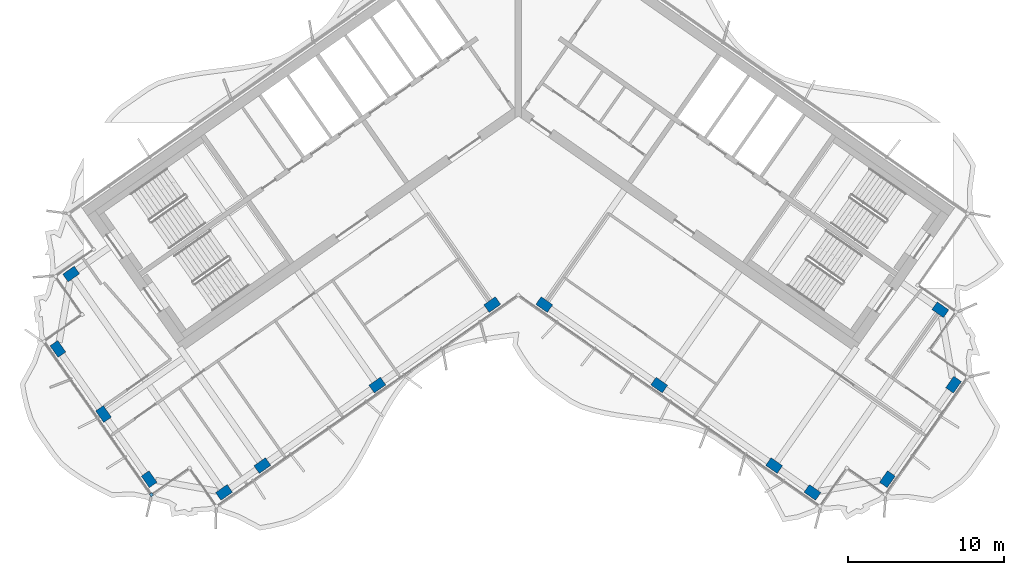
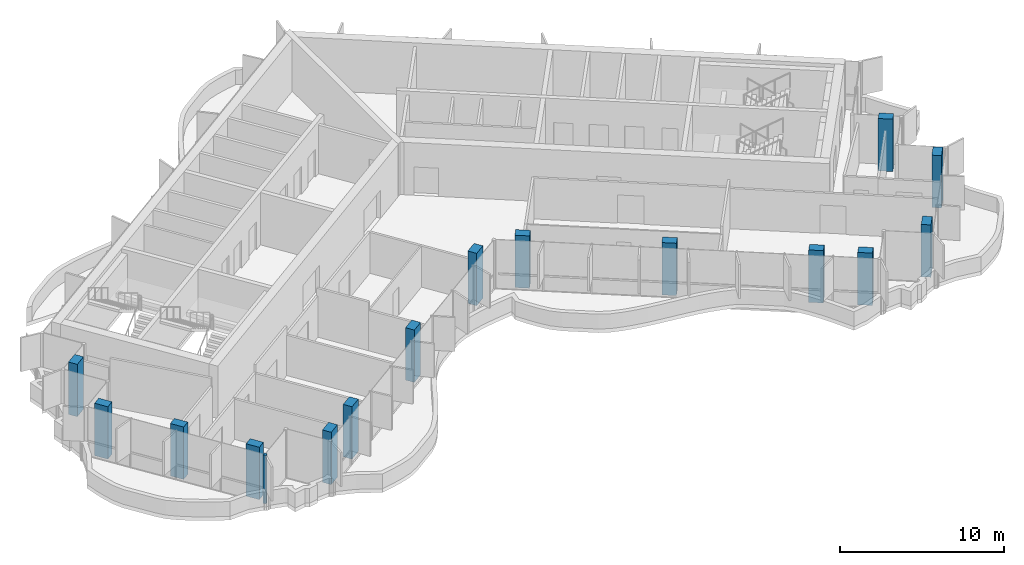
# One storey, part 1 of 18: 15 columns, 1 member, 1 element without a shape of its own.
"""IFC4 building model written with IfcOpenShell, lengths in metres."""

import ifcopenshell
import ifcopenshell.guid

model = None  # the IFC model being written
_history = None  # IfcOwnerHistory: only IFC2X3 demands one
_inside = {}  # id of a spatial element -> (the spatial element, [elements in it])
_under = {}  # id of a project, library or spatial element -> (it, [spatial elements below it])
_declared = {}  # id of a project -> (the project, [libraries it declares])
_typed = {}  # id of a type object -> (the type object, [elements of that type])
_made_of = {}  # id of a material, layer set ... -> (it, [elements and type objects made of it])


def new_model(schema):
    """Start an empty IFC model of exactly this schema.

    Asked for "IFC4X3", IfcOpenShell would pick the latest addendum, in which some entities
    have other attributes; the version numbers below select the first issue.
    IFC2X3 requires an IfcOwnerHistory on every rooted entity: one is made here for all.
    """
    global model, _history
    if schema == "IFC4X3":
        model = ifcopenshell.file(schema_version=(4, 3, 0, 0))
    else:
        model = ifcopenshell.file(schema=schema)
    _inside.clear()
    _under.clear()
    _declared.clear()
    _typed.clear()
    _made_of.clear()
    _history = None
    if model.schema == "IFC2X3":
        org = make("IfcOrganization", Name="unknown")
        user = make(
            "IfcPersonAndOrganization",
            ThePerson=make("IfcPerson", FamilyName="unknown"),
            TheOrganization=org,
        )
        app = make(
            "IfcApplication",
            ApplicationDeveloper=org,
            Version="unknown",
            ApplicationFullName="unknown",
            ApplicationIdentifier="unknown",
        )
        _history = make(
            "IfcOwnerHistory",
            OwningUser=user,
            OwningApplication=app,
            ChangeAction="ADDED",
            CreationDate=0,
        )
    return model


def make(cls, **values):
    """One entity of the class cls with the attributes given. An attribute that is None is left unset."""
    return model.create_entity(
        cls, **{name: value for name, value in values.items() if value is not None}
    )


def rooted(cls, **values):
    """An entity with a GlobalId (a new one), such as an element, a storey or a relation."""
    return make(cls, GlobalId=ifcopenshell.guid.new(), OwnerHistory=_history, **values)


def si_unit(unit_type, name, prefix=None):
    """IfcSIUnit, for example si_unit("LENGTHUNIT", "METRE", prefix="MILLI")."""
    return make("IfcSIUnit", UnitType=unit_type, Prefix=prefix, Name=name)


def assignment(units):
    """IfcUnitAssignment: the units of a project."""
    return None if units is None else make("IfcUnitAssignment", Units=units)


def point(xyz):
    """IfcCartesianPoint."""
    return None if xyz is None else make("IfcCartesianPoint", Coordinates=xyz)


def direction(xyz):
    """IfcDirection."""
    return None if xyz is None else make("IfcDirection", DirectionRatios=xyz)


def frame(location, z_axis=None, x_axis=None):
    """IfcAxis2Placement3D, a coordinate frame: its origin and axes. An axis left out is left unset."""
    return make(
        "IfcAxis2Placement3D",
        Location=point(location),
        Axis=direction(z_axis),
        RefDirection=direction(x_axis),
    )


def frame_2d(location, x_axis=None):
    """IfcAxis2Placement2D, a coordinate frame in the plane: its origin and x axis."""
    return make(
        "IfcAxis2Placement2D", Location=point(location), RefDirection=direction(x_axis)
    )


def origin():
    """The frame at (0, 0, 0) with its axes left unset."""
    return frame((0.0, 0.0, 0.0))


def origin_2d():
    """The frame at (0, 0) in the plane with its x axis left unset."""
    return frame_2d((0.0, 0.0))


def place(relative_to, where):
    """IfcLocalPlacement: puts the frame where relative to a parent placement (None: the world)."""
    return make(
        "IfcLocalPlacement", PlacementRelTo=relative_to, RelativePlacement=where
    )


def context(
    kind, dimensions, precision=None, world=None, true_north=None, identifier=None
):
    """IfcGeometricRepresentationContext, for example the 3D "Model" context."""
    return make(
        "IfcGeometricRepresentationContext",
        ContextIdentifier=identifier,
        ContextType=kind,
        CoordinateSpaceDimension=dimensions,
        Precision=precision,
        WorldCoordinateSystem=world,
        TrueNorth=true_north,
    )


def subcontext(parent, identifier, kind, view, scale=None):
    """IfcGeometricRepresentationSubContext, for example "Body" below "Model"."""
    return make(
        "IfcGeometricRepresentationSubContext",
        ContextIdentifier=identifier,
        ContextType=kind,
        ParentContext=parent,
        TargetScale=scale,
        TargetView=view,
    )


def project(units=None, contexts=None):
    """IfcProject with its units and contexts."""
    return rooted(
        "IfcProject",
        Name="project",
        RepresentationContexts=contexts,
        UnitsInContext=assignment(units),
    )


def spatial(cls, under=None, at=None, **own):
    """A site, building, storey or space (cls), placed at a placement, below another one or the project."""
    s = rooted(cls, ObjectPlacement=at, **own)
    if under is not None:
        _under.setdefault(under.id(), (under, []))[1].append(s)
    return s


def profile(cls, at=None, kind="AREA", **sizes):
    """A parametric profile (cls). Its sizes go by their IFC names, for example OverallWidth=200.0."""
    return make(cls, ProfileType=kind, Position=at, **sizes)


def rectangle(**sizes):
    """IfcRectangleProfileDef."""
    return profile("IfcRectangleProfileDef", **sizes)


def extrude(swept, where, along, depth):
    """IfcExtrudedAreaSolid: the profile swept, set in the frame where, extruded along a direction by depth."""
    return make(
        "IfcExtrudedAreaSolid",
        SweptArea=swept,
        Position=where,
        ExtrudedDirection=direction(along),
        Depth=depth,
    )


def shape(context_of_items, identifier, shape_type, items):
    """IfcShapeRepresentation: the items that make up one representation, for example the "Body"."""
    return make(
        "IfcShapeRepresentation",
        ContextOfItems=context_of_items,
        RepresentationIdentifier=identifier,
        RepresentationType=shape_type,
        Items=items,
    )


def material(Name=None, Category=None):
    """IfcMaterial."""
    return make("IfcMaterial", Name=Name, Category=Category)


def material_profile(
    of_material, cross_section, Name=None, Category=None, Priority=None
):
    """IfcMaterialProfile: a cross section and its material."""
    return make(
        "IfcMaterialProfile",
        Name=Name,
        Material=of_material,
        Profile=cross_section,
        Priority=Priority,
        Category=Category,
    )


def profile_set(profiles, Name=None, composite=None):
    """IfcMaterialProfileSet."""
    return make(
        "IfcMaterialProfileSet",
        Name=Name,
        MaterialProfiles=profiles,
        CompositeProfile=composite,
    )


def made_of(thing, what):
    """Note that an element or type object is made of a material, layer set ...; save() writes the relation."""
    if what is not None:
        _made_of.setdefault(what.id(), (what, []))[1].append(thing)
    return thing


def type_object(cls, material=None, **own):
    """A type object (cls), such as IfcWallType, which elements share."""
    return made_of(rooted(cls, **own), material)


def element(
    cls,
    number,
    at=None,
    inside=None,
    cuts=None,
    type_object=None,
    material=None,
    context=None,
    identifier="Body",
    shape_type=None,
    held_by="IfcProductDefinitionShape",
    body=None,
    shapes=None,
    **own,
):
    """One element of the class cls, such as IfcWall. Its Tag is "e" and its number.

    at: its placement. inside: the storey or other place that contains it. cuts: it is an
    opening in that element (IfcRelVoidsElement). A single representation is given by context,
    identifier, shape_type and body (its items); several are given by shapes. held_by: the class
    of the entity that holds the representations. save() writes the other relations.
    """
    e = rooted(cls, Tag="e%d" % number, ObjectPlacement=at, **own)
    if body is not None:
        shapes = [shape(context, identifier, shape_type, body)]
    if shapes is not None:
        e.Representation = make(held_by, Representations=shapes)
    if inside is not None:
        _inside.setdefault(inside.id(), (inside, []))[1].append(e)
    if cuts is not None:
        rooted(
            "IfcRelVoidsElement", RelatingBuildingElement=cuts, RelatedOpeningElement=e
        )
    if type_object is not None:
        _typed.setdefault(type_object.id(), (type_object, []))[1].append(e)
    return made_of(e, material)


def aggregate(whole, parts):
    """IfcRelAggregates: a whole, such as a stair, and the parts it consists of."""
    return rooted("IfcRelAggregates", RelatingObject=whole, RelatedObjects=parts)


def save(model, path):
    """Write the relations noted so far, then the file.

    IfcRelAggregates (storeys below a building ...), IfcRelContainedInSpatialStructure (elements
    in a storey), IfcRelDefinesByType, IfcRelAssociatesMaterial and IfcRelDeclares: one each for
    every whole, place, type object, material and project.
    """
    for whole, parts in _under.values():
        aggregate(whole, parts)
    for where, things in _inside.values():
        rooted(
            "IfcRelContainedInSpatialStructure",
            RelatedElements=things,
            RelatingStructure=where,
        )
    for kind, things in _typed.values():
        rooted("IfcRelDefinesByType", RelatedObjects=things, RelatingType=kind)
    for what, things in _made_of.values():
        rooted("IfcRelAssociatesMaterial", RelatedObjects=things, RelatingMaterial=what)
    for by, libraries in _declared.values():
        rooted("IfcRelDeclares", RelatingContext=by, RelatedDefinitions=libraries)
    model.write(path)


model = new_model("IFC4")

# Units and contexts
model_context = context("Model", 3, precision=1e-05, world=origin(), true_north=direction((0.0, 1.0)))
body_context = subcontext(model_context, "Body", "Model", "MODEL_VIEW")
ifc_project = project(units=[si_unit("LENGTHUNIT", "METRE"), si_unit("AREAUNIT", "SQUARE_METRE"), si_unit("VOLUMEUNIT", "CUBIC_METRE"), si_unit("PLANEANGLEUNIT", "RADIAN"), si_unit("MASSUNIT", "GRAM", prefix="KILO")], contexts=[model_context])

# Site, building, storey
site_placement = place(None, origin())
site = spatial("IfcSite", under=ifc_project, at=site_placement, CompositionType="ELEMENT")
building_placement = place(site_placement, origin())
building = spatial("IfcBuilding", under=site, at=building_placement, Name="Tel Ilan Convention Tower", CompositionType="ELEMENT")
storey_placement = place(building_placement, frame((0.0, 0.0, 299.5)))
storey = spatial("IfcBuildingStorey", under=building, at=storey_placement, Name="L71", CompositionType="ELEMENT", Elevation=299.5)

# Columns
ifc_material_1 = material(Name="Concrete C40/50", Category="concrete")
ifc_material_profile_1 = material_profile(ifc_material_1, rectangle(XDim=0.89990234375, YDim=0.60009765625, at=origin_2d()), Name="RC 600x900")
ifc_profile_set_1 = profile_set([ifc_material_profile_1], Name="Concrete C40/50")
column_type = type_object("IfcColumnType", Name="Column RC 600x900 C40/50", PredefinedType="COLUMN", material=ifc_profile_set_1)
for number, where, z_axis, x_axis, name in (
    (1, (-1.665283203125, -13.312744140625, 0.0), (0.0, 0.0, 1.0), (-0.819152044289, -0.573576436351, 0.0), "L71 column W-F1"),
    (2, (-9.03759765625, -18.474853515625, 0.0), (0.0, 0.0, 1.0), (-0.819152044289, -0.573576436351, 0.0), "L71 column W-F2"),
    (3, (-16.409912109375, -23.63720703125, 0.0), (0.0, 0.0, 1.0), (-0.819152044289, -0.573576436351, 0.0), "L71 column W-F3"),
    (4, (-18.867431640625, -25.35791015625, 0.0), (0.0, 0.0, 1.0), (-0.819152044289, -0.573576436351, 0.0), "L71 column W-FC"),
    (5, (-28.675537109375, -11.350341796875, 0.0), (0.0, 0.0, 1.0), (-0.819152044289, -0.573576436351, 0.0), "L71 column W-BC"),
    (6, (-23.67236328125, -24.510498046875, 0.0), (0.0, 0.0, 1.0), (-0.573576436351, 0.819152044289, 0.0), "L71 column W-E1"),
    (7, (-26.59765625, -20.3330078125, 0.0), (0.0, 0.0, 1.0), (-0.573576436351, 0.819152044289, 0.0), "L71 column W-E2"),
    (8, (-29.52294921875, -16.1552734375, 0.0), (0.0, 0.0, 1.0), (-0.573576436351, 0.819152044289, 0.0), "L71 column W-E3"),
    (9, (1.665283203125, -13.312744140625, 0.0), (0.0, 0.0, 1.0), (0.819152044289, -0.573576436351, 0.0), "L71 column E-F1"),
    (10, (9.03759765625, -18.474853515625, 0.0), (0.0, 0.0, 1.0), (0.819152044289, -0.573576436351, 0.0), "L71 column E-F2"),
    (11, (16.409912109375, -23.63720703125, 0.0), (0.0, 0.0, 1.0), (0.819152044289, -0.573576436351, 0.0), "L71 column E-F3"),
    (12, (18.867431640625, -25.35791015625, 0.0), (0.0, 0.0, 1.0), (0.819152044289, -0.573576436351, 0.0), "L71 column E-FC"),
    (13, (27.069580078125, -13.64404296875, 0.0), (0.0, 0.0, 1.0), (0.819152044289, -0.573576436351, 0.0), "L71 column E-BC"),
    (14, (23.67236328125, -24.510498046875, 0.0), (0.0, 0.0, 1.0), (0.573576436351, 0.819152044289, 0.0), "L71 column E-E1"),
    (15, (27.9169921875, -18.448974609375, 0.0), (0.0, 0.0, 1.0), (0.573576436351, 0.819152044289, 0.0), "L71 column E-E2"),
):
    element("IfcColumn", number, at=place(storey_placement, frame(where, z_axis=z_axis, x_axis=x_axis)), inside=storey, type_object=column_type, Name=name, PredefinedType="COLUMN", context=body_context, shape_type="SweptSolid", body=[
        extrude(rectangle(XDim=0.89990234375, YDim=0.60009765625, at=origin_2d()), origin(), (0.0, 0.0, 1.0), 3.89990234375),
    ])

# Curtain wall, member
ifc_material_2 = material(Name="Aluminium, bronze anodised", Category="aluminium")
curtain_wall_type = type_object("IfcCurtainWallType", Name="CW5 STICK CURTAIN WALL, UPPER OFFICE LOW-IRON TINTED GLASS", PredefinedType="NOTDEFINED", material=ifc_material_2)
curtain_wall_placement = place(storey_placement, origin())
curtain_wall = element("IfcCurtainWall", 16, at=curtain_wall_placement, inside=storey, type_object=curtain_wall_type, Name="Curtain wall CW5-54.02", PredefinedType="NOTDEFINED")
ifc_material_3 = material(Name="Aluminium, bronze anodised", Category="aluminium")
ifc_material_profile_2 = material_profile(ifc_material_3, rectangle(XDim=0.199951171875, YDim=0.199951171875, at=origin_2d()), Name="CW CORNER MULLION 200x200")
ifc_profile_set_2 = profile_set([ifc_material_profile_2], Name="Aluminium, bronze anodised")
member_type = type_object("IfcMemberType", Name="CW CORNER MULLION 200x200", PredefinedType="MULLION", material=ifc_profile_set_2)
member_placement = place(storey_placement, frame((-23.52490234375, -25.505859375, 0.0), z_axis=(0.0, 0.0, 1.0), x_axis=(0.573576436351, -0.819152044289, 0.0)))
member = element("IfcMember", 17, at=member_placement, type_object=member_type, Name="Corner mullion", PredefinedType="MULLION", context=body_context, shape_type="SweptSolid", body=[
    extrude(rectangle(XDim=0.199951171875, YDim=0.199951171875, at=origin_2d()), origin(), (0.0, 0.0, 1.0), 3.6201171875),
])
aggregate(curtain_wall, [member])

save(model, "model.ifc")
